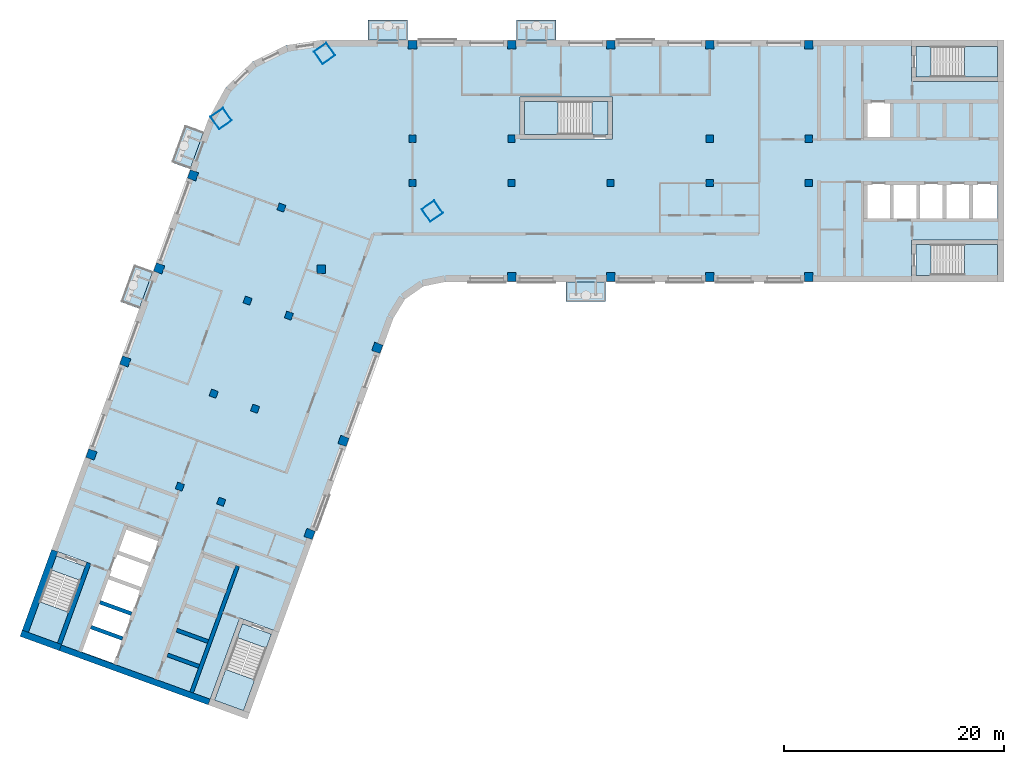
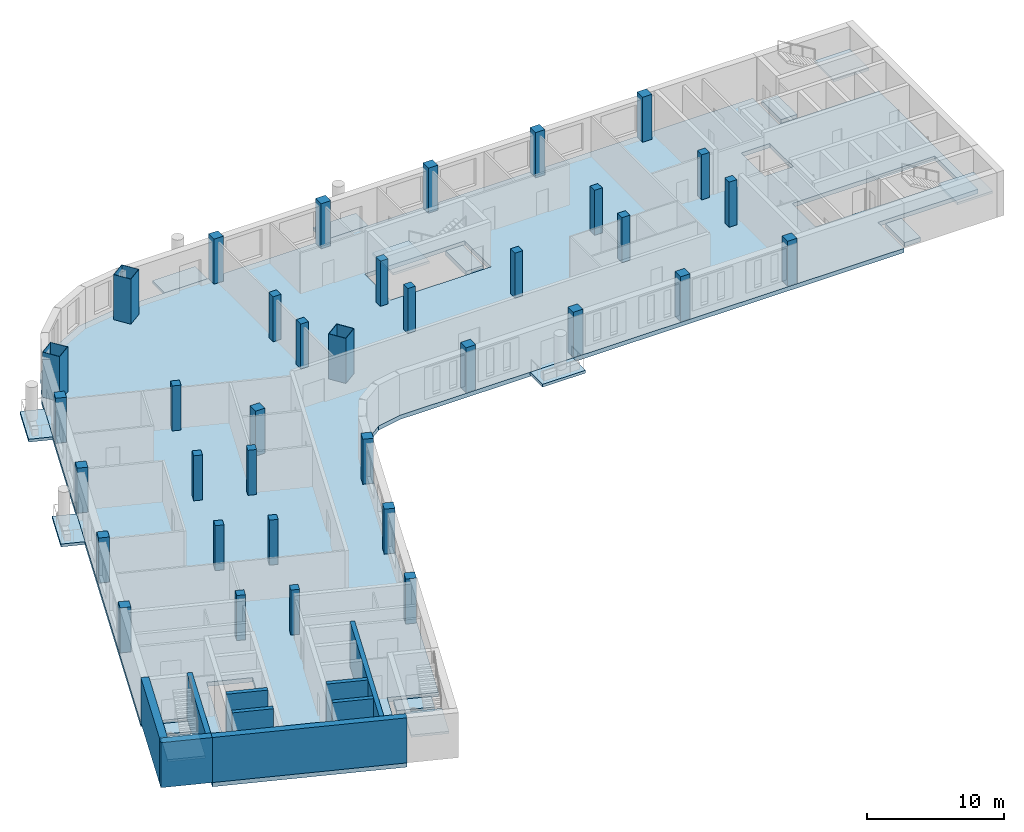
# One storey, part 1 of 10: 36 columns, 16 slabs, 9 walls, 5 elements without a shape of their own.
"""IFC4 building model written with IfcOpenShell, lengths in metres."""

from ifc_helpers import new_model, si_unit, direction, frame, frame_2d, origin, origin_2d, place, context, subcontext, project, spatial, polyline, rectangle, hollow_rectangle, outline, extrude, material, layer, layer_set, material_profile, profile_set, type_object, element, aggregate, save


model = new_model("IFC4")

# Units and contexts
model_context = context("Model", 3, precision=1e-05, world=origin(), true_north=direction((0.0, 1.0)))
body_context = subcontext(model_context, "Body", "Model", "MODEL_VIEW")
ifc_project = project(units=[si_unit("LENGTHUNIT", "METRE"), si_unit("AREAUNIT", "SQUARE_METRE"), si_unit("VOLUMEUNIT", "CUBIC_METRE"), si_unit("PLANEANGLEUNIT", "RADIAN"), si_unit("MASSUNIT", "GRAM", prefix="KILO")], contexts=[model_context])

# Site, building, storey
site_placement = place(None, origin())
site = spatial("IfcSite", under=ifc_project, at=site_placement, CompositionType="ELEMENT")
building_placement = place(site_placement, origin())
building = spatial("IfcBuilding", under=site, at=building_placement, Name="Skarvind Civic Tower", CompositionType="ELEMENT")
storey_placement = place(building_placement, frame((0.0, 0.0, 166.5)))
storey = spatial("IfcBuildingStorey", under=building, at=storey_placement, Name="L39", CompositionType="ELEMENT", Elevation=166.5)

# Columns
ifc_material_1 = material(Name="Concrete C60", Category="concrete")
ifc_material_profile_1 = material_profile(ifc_material_1, rectangle(XDim=0.64990234375, YDim=0.64990234375, at=origin_2d()), Name="RC-650x650")
ifc_profile_set_1 = profile_set([ifc_material_profile_1], Name="Concrete C60")
column_type_1 = type_object("IfcColumnType", Name="Column RC-650x650 C60", PredefinedType="COLUMN", material=ifc_profile_set_1)
for number, where, z_axis, x_axis, name in (
    (1, (54.25, 130.0, 0.0), (0.0, 0.0, 1.0), (1.0, 0.0, 0.0), "Column wing 1 north inner 02 L39"),
    (2, (63.25, 130.0, 0.0), (0.0, 0.0, 1.0), (1.0, 0.0, 0.0), "Column wing 1 north inner 03 L39"),
    (3, (81.25, 130.0, 0.0), (0.0, 0.0, 1.0), (1.0, 0.0, 0.0), "Column wing 1 north inner 05 L39"),
    (4, (90.25, 130.0, 0.0), (0.0, 0.0, 1.0), (1.0, 0.0, 0.0), "Column wing 1 north inner 06 L39"),
    (5, (54.25, 126.0, 0.0), (0.0, 0.0, 1.0), (1.0, 0.0, 0.0), "Column wing 1 south inner 02 L39"),
    (6, (63.25, 126.0, 0.0), (0.0, 0.0, 1.0), (1.0, 0.0, 0.0), "Column wing 1 south inner 03 L39"),
    (7, (72.25, 126.0, 0.0), (0.0, 0.0, 1.0), (1.0, 0.0, 0.0), "Column wing 1 south inner 04 L39"),
    (8, (81.25, 126.0, 0.0), (0.0, 0.0, 1.0), (1.0, 0.0, 0.0), "Column wing 1 south inner 05 L39"),
    (9, (90.25, 126.0, 0.0), (0.0, 0.0, 1.0), (1.0, 0.0, 0.0), "Column wing 1 south inner 06 L39"),
    (10, (43.005615234375, 113.92529296875, 0.0), (0.0, 0.0, 1.0), (-0.342020143326, -0.939692620786, 0.0), "Column wing 2 left inner 02 L39"),
    (11, (39.927490234375, 105.468017578125, 0.0), (0.0, 0.0, 1.0), (-0.342020143326, -0.939692620786, 0.0), "Column wing 2 left inner 03 L39"),
    (12, (36.84912109375, 97.010986328125, 0.0), (0.0, 0.0, 1.0), (-0.342020143326, -0.939692620786, 0.0), "Column wing 2 left inner 04 L39"),
    (13, (42.324951171875, 123.750732421875, 0.0), (0.0, 0.0, 1.0), (-0.342020143326, -0.939692620786, 0.0), "Column wing 2 right inner 01 L39"),
    (14, (39.246826171875, 115.29345703125, 0.0), (0.0, 0.0, 1.0), (-0.342020143326, -0.939692620786, 0.0), "Column wing 2 right inner 02 L39"),
    (15, (36.168701171875, 106.836181640625, 0.0), (0.0, 0.0, 1.0), (-0.342020143326, -0.939692620786, 0.0), "Column wing 2 right inner 03 L39"),
    (16, (33.090576171875, 98.37890625, 0.0), (0.0, 0.0, 1.0), (-0.342020143326, -0.939692620786, 0.0), "Column wing 2 right inner 04 L39"),
):
    element("IfcColumn", number, at=place(storey_placement, frame(where, z_axis=z_axis, x_axis=x_axis)), inside=storey, type_object=column_type_1, Name=name, PredefinedType="COLUMN", context=body_context, shape_type="SweptSolid", body=[
        extrude(rectangle(XDim=0.64990234375, YDim=0.64990234375, at=origin_2d()), origin(), (0.0, 0.0, 1.0), 4.0),
    ])
ifc_material_profile_2 = material_profile(ifc_material_1, rectangle(XDim=0.800048828125, YDim=0.800048828125, at=origin_2d()), Name="RC-800x800")
ifc_profile_set_2 = profile_set([ifc_material_profile_2], Name="Concrete C60")
column_type_2 = type_object("IfcColumnType", Name="Column RC-800x800 C60", PredefinedType="COLUMN", material=ifc_profile_set_2)
for number, where, z_axis, x_axis, name in (
    (17, (54.25, 138.550048828125, 0.0), (0.0, 0.0, 1.0), (1.0, 0.0, 0.0), "Column wing 1 north perimeter 02 L39"),
    (18, (63.25, 138.550048828125, 0.0), (0.0, 0.0, 1.0), (1.0, 0.0, 0.0), "Column wing 1 north perimeter 03 L39"),
    (19, (72.25, 138.550048828125, 0.0), (0.0, 0.0, 1.0), (1.0, 0.0, 0.0), "Column wing 1 north perimeter 04 L39"),
    (20, (81.25, 138.550048828125, 0.0), (0.0, 0.0, 1.0), (1.0, 0.0, 0.0), "Column wing 1 north perimeter 05 L39"),
    (21, (90.25, 138.550048828125, 0.0), (0.0, 0.0, 1.0), (1.0, 0.0, 0.0), "Column wing 1 north perimeter 06 L39"),
    (22, (45.95166015625, 118.151611328125, 0.0), (0.0, 0.0, 1.0), (1.0, 0.0, 0.0), "Column wing 1 south perimeter 01 L39"),
    (23, (63.25, 117.449951171875, 0.0), (0.0, 0.0, 1.0), (1.0, 0.0, 0.0), "Column wing 1 south perimeter 03 L39"),
    (24, (72.25, 117.449951171875, 0.0), (0.0, 0.0, 1.0), (1.0, 0.0, 0.0), "Column wing 1 south perimeter 04 L39"),
    (25, (81.25, 117.449951171875, 0.0), (0.0, 0.0, 1.0), (1.0, 0.0, 0.0), "Column wing 1 south perimeter 05 L39"),
    (26, (90.25, 117.449951171875, 0.0), (0.0, 0.0, 1.0), (1.0, 0.0, 0.0), "Column wing 1 south perimeter 06 L39"),
    (27, (51.0400390625, 111.0009765625, 0.0), (0.0, 0.0, 1.0), (-0.342020143326, -0.939692620786, 0.0), "Column wing 2 left perimeter 02 L39"),
    (28, (47.961669921875, 102.5439453125, 0.0), (0.0, 0.0, 1.0), (-0.342020143326, -0.939692620786, 0.0), "Column wing 2 left perimeter 03 L39"),
    (29, (44.883544921875, 94.086669921875, 0.0), (0.0, 0.0, 1.0), (-0.342020143326, -0.939692620786, 0.0), "Column wing 2 left perimeter 04 L39"),
    (30, (34.29052734375, 126.6748046875, 0.0), (0.0, 0.0, 1.0), (-0.342020143326, -0.939692620786, 0.0), "Column wing 2 right perimeter 01 L39"),
    (31, (31.21240234375, 118.2177734375, 0.0), (0.0, 0.0, 1.0), (-0.342020143326, -0.939692620786, 0.0), "Column wing 2 right perimeter 02 L39"),
    (32, (28.13427734375, 109.760498046875, 0.0), (0.0, 0.0, 1.0), (-0.342020143326, -0.939692620786, 0.0), "Column wing 2 right perimeter 03 L39"),
    (33, (25.05615234375, 101.30322265625, 0.0), (0.0, 0.0, 1.0), (-0.342020143326, -0.939692620786, 0.0), "Column wing 2 right perimeter 04 L39"),
):
    element("IfcColumn", number, at=place(storey_placement, frame(where, z_axis=z_axis, x_axis=x_axis)), inside=storey, type_object=column_type_2, Name=name, PredefinedType="COLUMN", context=body_context, shape_type="SweptSolid", body=[
        extrude(rectangle(XDim=0.800048828125, YDim=0.800048828125, at=origin_2d()), origin(), (0.0, 0.0, 1.0), 4.0),
    ])
ifc_material_2 = material(Name="Composite concrete-filled steel tube, Steel SM355 with Concrete C80", Category="concrete")
ifc_material_profile_3 = material_profile(ifc_material_2, hollow_rectangle(XDim=1.39990234375, YDim=1.39990234375, WallThickness=0.031982421875, at=origin_2d()), Name="BOX-1400x1400x32")
ifc_profile_set_3 = profile_set([ifc_material_profile_3], Name="Composite concrete-filled steel tube, Steel SM355 with Concrete C80")
column_type_3 = type_object("IfcColumnType", Name="Mega column BOX-1400x1400x32 filled C80", PredefinedType="COLUMN", material=ifc_profile_set_3)
for number, where, z_axis, x_axis, name in (
    (34, (36.845947265625, 131.837646484375, 0.0), (0.0, 0.0, 1.0), (0.573576436351, -0.819152044289, 0.0), "Mega column 1 L39"),
    (35, (46.2470703125, 137.762451171875, 0.0), (0.0, 0.0, 1.0), (0.573576436351, -0.819152044289, 0.0), "Mega column 2 L39"),
    (36, (56.0361328125, 123.43017578125, 0.0), (0.0, 0.0, 1.0), (0.573576436351, -0.819152044289, 0.0), "Mega column 4 L39"),
):
    element("IfcColumn", number, at=place(storey_placement, frame(where, z_axis=z_axis, x_axis=x_axis)), inside=storey, type_object=column_type_3, Name=name, PredefinedType="COLUMN", context=body_context, shape_type="SweptSolid", body=[
        extrude(hollow_rectangle(XDim=1.39990234375, YDim=1.39990234375, WallThickness=0.031982421875, at=origin_2d()), origin(), (0.0, 0.0, 1.0), 4.0),
    ])

# Slabs
ifc_material_3 = material(Name="Concrete C50", Category="concrete")
ifc_layer_1 = layer(ifc_material_3, 0.375)
ifc_layer_set_1 = layer_set([ifc_layer_1], Name="Floor slab 375 C50")
slab_type_1 = type_object("IfcSlabType", Name="Floor slab 375 C50", PredefinedType="FLOOR", material=ifc_layer_set_1)
slab_1_placement = place(storey_placement, frame((0.0, 0.0, -0.375)))
element("IfcSlab", 37, at=slab_1_placement, inside=storey, type_object=slab_type_1, Name="Floor slab L39 1", PredefinedType="FLOOR", context=body_context, shape_type="SweptSolid", body=[
    extrude(outline(polyline([(99.60009765625, 117.0), (99.60009765625, 120.800048828125), (108.0, 120.800048828125), (108.0, 135.199951171875), (99.60009765625, 135.199951171875), (99.60009765625, 139.0), (46.095458984375, 139.0), (42.739501953125, 138.5009765625), (39.6943359375, 137.005615234375), (37.24755859375, 134.6552734375), (35.630615234375, 131.672607421875), (19.41748046875, 87.126708984375), (21.435302734375, 92.6708984375), (25.006103515625, 91.371337890625), (22.13330078125, 83.477783203125), (36.886474609375, 78.108154296875), (35.664794921875, 78.552734375), (38.53759765625, 86.4462890625), (42.108642578125, 85.146484375), (40.0908203125, 79.602294921875), (40.0908203125, 79.602294921875), (52.493896484375, 113.68017578125), (53.560791015625, 115.421630859375), (55.23388671875, 116.593017578125), (57.235107421875, 117.0), (99.60009765625, 117.0)]), holes=[polyline([(25.671630859375, 87.9365234375), (26.492431640625, 90.19189453125), (27.313232421875, 92.447021484375), (28.134033203125, 94.702392578125), (31.3291015625, 93.53955078125), (30.50830078125, 91.2841796875), (29.6875, 89.029052734375), (28.866455078125, 86.773681640625), (28.866455078125, 86.773681640625), (28.045654296875, 84.5185546875), (27.224853515625, 82.26318359375), (24.02978515625, 83.426025390625), (24.8505859375, 85.681396484375), (25.671630859375, 87.9365234375), (25.671630859375, 87.9365234375)]), polyline([(64.0, 130.0), (64.0, 133.800048828125), (72.39990234375, 133.800048828125), (72.39990234375, 130.0), (64.0, 130.0)]), polyline([(97.800048828125, 126.0), (100.199951171875, 126.0), (102.60009765625, 126.0), (105.0, 126.0), (107.39990234375, 126.0), (107.39990234375, 122.60009765625), (105.0, 122.60009765625), (102.60009765625, 122.60009765625), (100.199951171875, 122.60009765625), (97.800048828125, 122.60009765625), (95.39990234375, 122.60009765625), (95.39990234375, 126.0), (97.800048828125, 126.0)]), polyline([(97.800048828125, 133.39990234375), (97.800048828125, 130.0), (95.39990234375, 130.0), (95.39990234375, 133.39990234375), (97.800048828125, 133.39990234375)])]), origin(), (0.0, 0.0, 1.0), 0.375),
])
ifc_material_4 = material(Name="Precast concrete C40/50", Category="concrete")
ifc_layer_2 = layer(ifc_material_4, 0.25)
ifc_layer_set_2 = layer_set([ifc_layer_2], Name="SX3 BALCONY SLAB 250")
slab_type_2 = type_object("IfcSlabType", Name="SX3 BALCONY SLAB 250", PredefinedType="FLOOR", material=ifc_layer_set_2)
slab_2_placement = place(storey_placement, frame((0.0, 0.0, -0.25)))
element("IfcSlab", 38, at=slab_2_placement, inside=storey, type_object=slab_type_2, Name="TREE BALCONY SLAB", PredefinedType="FLOOR", context=body_context, shape_type="SweptSolid", body=[
    extrude(outline(polyline([(71.800048828125, 117.0), (68.199951171875, 117.0), (68.199951171875, 115.199951171875), (71.800048828125, 115.199951171875), (71.800048828125, 117.0)])), origin(), (0.0, 0.0, 1.0), 0.25),
])
slab_3_placement = place(storey_placement, frame((0.0, 0.0, -0.25)))
element("IfcSlab", 39, at=slab_3_placement, inside=storey, type_object=slab_type_2, Name="TREE BALCONY SLAB", PredefinedType="FLOOR", context=body_context, shape_type="SweptSolid", body=[
    extrude(outline(polyline([(50.199951171875, 139.0), (53.800048828125, 139.0), (53.800048828125, 140.800048828125), (50.199951171875, 140.800048828125), (50.199951171875, 139.0)])), origin(), (0.0, 0.0, 1.0), 0.25),
])
slab_4_placement = place(storey_placement, frame((0.0, 0.0, -0.25)))
element("IfcSlab", 40, at=slab_4_placement, inside=storey, type_object=slab_type_2, Name="TREE BALCONY SLAB", PredefinedType="FLOOR", context=body_context, shape_type="SweptSolid", body=[
    extrude(outline(polyline([(63.699951171875, 139.0), (67.300048828125, 139.0), (67.300048828125, 140.800048828125), (63.699951171875, 140.800048828125), (63.699951171875, 139.0)])), origin(), (0.0, 0.0, 1.0), 0.25),
])
slab_5_placement = place(storey_placement, frame((0.0, 0.0, -0.25)))
element("IfcSlab", 41, at=slab_5_placement, inside=storey, type_object=slab_type_2, Name="TREE BALCONY SLAB", PredefinedType="FLOOR", context=body_context, shape_type="SweptSolid", body=[
    extrude(outline(polyline([(29.404296875, 114.56591796875), (30.6357421875, 117.94873046875), (28.9443359375, 118.564453125), (27.712890625, 115.181396484375), (29.404296875, 114.56591796875)])), origin(), (0.0, 0.0, 1.0), 0.25),
])
slab_6_placement = place(storey_placement, frame((0.0, 0.0, -0.25)))
element("IfcSlab", 42, at=slab_6_placement, inside=storey, type_object=slab_type_2, Name="TREE BALCONY SLAB", PredefinedType="FLOOR", context=body_context, shape_type="SweptSolid", body=[
    extrude(outline(polyline([(34.021728515625, 127.251708984375), (35.2529296875, 130.634521484375), (33.5615234375, 131.250244140625), (32.330322265625, 127.867431640625), (34.021728515625, 127.251708984375)])), origin(), (0.0, 0.0, 1.0), 0.25),
])
ifc_material_5 = material(Name="Concrete C40/50", Category="concrete")
ifc_layer_3 = layer(ifc_material_5, 0.375)
ifc_layer_set_3 = layer_set([ifc_layer_3], Name="Stair floor landing slab 375")
slab_type_3 = type_object("IfcSlabType", Name="Stair floor landing slab 375", PredefinedType="LANDING", material=ifc_layer_set_3)
slab_7_placement = place(storey_placement, frame((0.0, 0.0, -0.375)))
element("IfcSlab", 43, at=slab_7_placement, inside=storey, type_object=slab_type_3, Name="Stair floor landing", PredefinedType="LANDING", context=body_context, shape_type="SweptSolid", body=[
    extrude(outline(polyline([(101.3505859375, 138.400634765625), (101.3505859375, 135.599365234375), (99.99951171875, 135.599365234375), (99.99951171875, 138.400634765625), (101.3505859375, 138.400634765625)])), origin(), (0.0, 0.0, 1.0), 0.375),
])
slab_8_placement = place(storey_placement, frame((0.0, 0.0, -0.375)))
element("IfcSlab", 44, at=slab_8_placement, inside=storey, type_object=slab_type_3, Name="Stair floor landing", PredefinedType="LANDING", context=body_context, shape_type="SweptSolid", body=[
    extrude(outline(polyline([(101.3505859375, 120.400634765625), (101.3505859375, 117.599365234375), (99.99951171875, 117.599365234375), (99.99951171875, 120.400634765625), (101.3505859375, 120.400634765625)])), origin(), (0.0, 0.0, 1.0), 0.375),
])
slab_9_placement = place(storey_placement, frame((0.0, 0.0, -0.375)))
element("IfcSlab", 45, at=slab_9_placement, inside=storey, type_object=slab_type_3, Name="Stair floor landing", PredefinedType="LANDING", context=body_context, shape_type="SweptSolid", body=[
    extrude(outline(polyline([(40.946533203125, 83.70654296875), (38.314208984375, 84.66455078125), (38.7763671875, 85.934326171875), (41.40869140625, 84.976318359375), (40.946533203125, 83.70654296875)])), origin(), (0.0, 0.0, 1.0), 0.375),
])
slab_10_placement = place(storey_placement, frame((0.0, 0.0, -0.375)))
element("IfcSlab", 46, at=slab_10_placement, inside=storey, type_object=slab_type_3, Name="Stair floor landing", PredefinedType="LANDING", context=body_context, shape_type="SweptSolid", body=[
    extrude(outline(polyline([(24.0322265625, 89.863037109375), (21.39990234375, 90.821044921875), (21.862060546875, 92.090576171875), (24.494384765625, 91.132568359375), (24.0322265625, 89.863037109375)])), origin(), (0.0, 0.0, 1.0), 0.375),
])
slab_11_placement = place(storey_placement, frame((0.0, 0.0, -0.375)))
element("IfcSlab", 47, at=slab_11_placement, inside=storey, type_object=slab_type_3, Name="Stair floor landing", PredefinedType="LANDING", context=body_context, shape_type="SweptSolid", body=[
    extrude(outline(polyline([(70.54931640625, 130.3994140625), (70.54931640625, 133.400634765625), (72.00048828125, 133.400634765625), (72.00048828125, 130.3994140625), (70.54931640625, 130.3994140625)])), origin(), (0.0, 0.0, 1.0), 0.375),
])

# Stair, slab
stair_type_1 = type_object("IfcStairType", Name="Exit stair, half-turn, concrete", PredefinedType="HALF_TURN_STAIR", material=ifc_material_5)
stair_1_placement = place(storey_placement, origin())
stair_1 = element("IfcStair", 48, at=stair_1_placement, inside=storey, type_object=stair_type_1, Name="Exit stair C1S", PredefinedType="HALF_TURN_STAIR")
ifc_layer_4 = layer(ifc_material_5, 0.199951171875)
ifc_layer_set_4 = layer_set([ifc_layer_4], Name="Stair half landing slab")
slab_type_4 = type_object("IfcSlabType", Name="Stair half landing slab", PredefinedType="LANDING", material=ifc_layer_set_4)
slab_12_placement = place(storey_placement, frame((0.0, 0.0, 1.800048828125)))
slab_12 = element("IfcSlab", 49, at=slab_12_placement, type_object=slab_type_4, Name="ST-C1S landing 1", PredefinedType="LANDING", context=body_context, shape_type="SweptSolid", body=[
    extrude(outline(polyline([(104.429443359375, 135.599365234375), (104.429443359375, 138.400634765625), (107.400634765625, 138.400634765625), (107.400634765625, 135.599365234375), (104.429443359375, 135.599365234375)])), origin(), (0.0, 0.0, 1.0), 0.199951171875),
])
aggregate(stair_1, [slab_12])

stair_2_placement = place(storey_placement, origin())
stair_2 = element("IfcStair", 50, at=stair_2_placement, inside=storey, type_object=stair_type_1, Name="Exit stair C1N", PredefinedType="HALF_TURN_STAIR")
slab_13_placement = place(storey_placement, frame((0.0, 0.0, 1.800048828125)))
slab_13 = element("IfcSlab", 51, at=slab_13_placement, type_object=slab_type_4, Name="ST-C1N landing 1", PredefinedType="LANDING", context=body_context, shape_type="SweptSolid", body=[
    extrude(outline(polyline([(104.429443359375, 117.599365234375), (104.429443359375, 120.400634765625), (107.400634765625, 120.400634765625), (107.400634765625, 117.599365234375), (104.429443359375, 117.599365234375)])), origin(), (0.0, 0.0, 1.0), 0.199951171875),
])
aggregate(stair_2, [slab_13])

stair_3_placement = place(storey_placement, origin())
stair_3 = element("IfcStair", 52, at=stair_3_placement, inside=storey, type_object=stair_type_1, Name="Exit stair C2S", PredefinedType="HALF_TURN_STAIR")
slab_14_placement = place(storey_placement, frame((0.0, 0.0, 1.800048828125)))
slab_14 = element("IfcSlab", 53, at=slab_14_placement, type_object=slab_type_4, Name="ST-C2S landing 1", PredefinedType="LANDING", context=body_context, shape_type="SweptSolid", body=[
    extrude(outline(polyline([(37.26123046875, 81.771484375), (39.8935546875, 80.8134765625), (38.87744140625, 78.021484375), (36.2451171875, 78.9794921875), (37.26123046875, 81.771484375)])), origin(), (0.0, 0.0, 1.0), 0.199951171875),
])
aggregate(stair_3, [slab_14])

stair_4_placement = place(storey_placement, origin())
stair_4 = element("IfcStair", 54, at=stair_4_placement, inside=storey, type_object=stair_type_1, Name="Exit stair C2N", PredefinedType="HALF_TURN_STAIR")
slab_15_placement = place(storey_placement, frame((0.0, 0.0, 1.800048828125)))
slab_15 = element("IfcSlab", 55, at=slab_15_placement, type_object=slab_type_4, Name="ST-C2N landing 1", PredefinedType="LANDING", context=body_context, shape_type="SweptSolid", body=[
    extrude(outline(polyline([(20.346923828125, 87.927734375), (22.97900390625, 86.9697265625), (21.962890625, 84.177734375), (19.33056640625, 85.1357421875), (20.346923828125, 87.927734375)])), origin(), (0.0, 0.0, 1.0), 0.199951171875),
])
aggregate(stair_4, [slab_15])

stair_type_2 = type_object("IfcStairType", Name="Exit stair 1450, half-turn, concrete", PredefinedType="HALF_TURN_STAIR", material=ifc_material_5)
stair_5_placement = place(storey_placement, origin())
stair_5 = element("IfcStair", 56, at=stair_5_placement, inside=storey, type_object=stair_type_2, Name="Exit stair CM", PredefinedType="HALF_TURN_STAIR")
slab_16_placement = place(storey_placement, frame((0.0, 0.0, 1.800048828125)))
slab_16 = element("IfcSlab", 57, at=slab_16_placement, type_object=slab_type_4, Name="ST-CM landing 1", PredefinedType="LANDING", context=body_context, shape_type="SweptSolid", body=[
    extrude(outline(polyline([(67.470703125, 133.400634765625), (67.470703125, 130.3994140625), (64.3994140625, 130.3994140625), (64.3994140625, 133.400634765625), (67.470703125, 133.400634765625)])), origin(), (0.0, 0.0, 1.0), 0.199951171875),
])
aggregate(stair_5, [slab_16])

# Walls
ifc_layer_5 = layer(ifc_material_1, 0.35009765625)
ifc_layer_set_5 = layer_set([ifc_layer_5], Name="Core wall 350 C60")
wall_type_1 = type_object("IfcWallType", Name="Core wall 350 C60", PredefinedType="SHEAR", material=ifc_layer_set_5)
wall_1_placement = place(storey_placement, frame((34.161376953125, 79.685302734375, 0.0), z_axis=(0.0, 0.0, 1.0), x_axis=(0.34201563943, 0.939694260058, 0.0)))
element("IfcWall", 58, at=wall_1_placement, inside=storey, type_object=wall_type_1, Name="Core wall C2 south lift row back L39", PredefinedType="SHEAR", context=body_context, shape_type="SweptSolid", body=[
    extrude(rectangle(XDim=12.22509765625, YDim=0.35009765625, at=frame_2d((6.112548828125, 0.0))), origin(), (0.0, 0.0, 1.0), 4.0),
])
wall_2_placement = place(storey_placement, frame((34.8349609375, 82.04736328125, 0.0), z_axis=(0.0, 0.0, 1.0), x_axis=(-0.939683528043, 0.3420451244, 0.0)))
element("IfcWall", 59, at=wall_2_placement, inside=storey, type_object=wall_type_1, Name="Core wall C2 south lift row division 1 L39", PredefinedType="SHEAR", context=body_context, shape_type="SweptSolid", body=[
    extrude(rectangle(XDim=3.050048828125, YDim=0.35009765625, at=frame_2d((1.52490234375, 0.0))), origin(), (0.0, 0.0, 1.0), 4.0),
])
wall_3_placement = place(storey_placement, frame((35.65576171875, 84.302734375, 0.0), z_axis=(0.0, 0.0, 1.0), x_axis=(-0.939709254651, 0.341974438698, 0.0)))
element("IfcWall", 60, at=wall_3_placement, inside=storey, type_object=wall_type_1, Name="Core wall C2 south lift row division 2 L39", PredefinedType="SHEAR", context=body_context, shape_type="SweptSolid", body=[
    extrude(rectangle(XDim=3.0498046875, YDim=0.35009765625, at=frame_2d((1.52490234375, 0.0))), origin(), (0.0, 0.0, 1.0), 4.0),
])
for number, where, z_axis, x_axis, name in (
    (61, (27.881103515625, 84.578369140625, 0.0), (0.0, 0.0, 1.0), (-0.939683528043, 0.3420451244, 0.0), "Core wall C2 north lift row division 1 L39"),
    (62, (28.7021484375, 86.83349609375, 0.0), (0.0, 0.0, 1.0), (-0.939692892192, 0.342019397644, 0.0), "Core wall C2 north lift row division 2 L39"),
):
    element("IfcWall", number, at=place(storey_placement, frame(where, z_axis=z_axis, x_axis=x_axis)), inside=storey, type_object=wall_type_1, Name=name, PredefinedType="SHEAR", context=body_context, shape_type="SweptSolid", body=[
        extrude(rectangle(XDim=3.050048828125, YDim=0.35009765625, at=frame_2d((1.52490234375, 0.0))), origin(), (0.0, 0.0, 1.0), 4.0),
    ])
ifc_layer_6 = layer(ifc_material_1, 0.39990234375)
ifc_layer_set_6 = layer_set([ifc_layer_6], Name="Core wall 400 C60")
wall_type_2 = type_object("IfcWallType", Name="Core wall 400 C60", PredefinedType="SHEAR", material=ifc_layer_set_6)
wall_4_placement = place(storey_placement, frame((22.150390625, 84.110107421875, 0.0), z_axis=(0.0, 0.0, 1.0), x_axis=(0.342016982193, 0.939693771338, 0.0)))
element("IfcWall", 63, at=wall_4_placement, inside=storey, type_object=wall_type_2, Name="Core wall C2 north stair inner L39", PredefinedType="SHEAR", context=body_context, shape_type="SweptSolid", body=[
    extrude(rectangle(XDim=7.800048828125, YDim=0.39990234375, at=frame_2d((3.89990234375, 0.0))), origin(), (0.0, 0.0, 1.0), 4.0),
])
ifc_layer_7 = layer(ifc_material_1, 0.550048828125)
ifc_layer_set_7 = layer_set([ifc_layer_7], Name="Core wall 550 C60")
wall_type_3 = type_object("IfcWallType", Name="Core wall 550 C60", PredefinedType="SHEAR", material=ifc_layer_set_7)
wall_5_placement = place(storey_placement, frame((35.7587890625, 78.811279296875, 0.0), z_axis=(0.0, 0.0, 1.0), x_axis=(-0.939692894512, 0.342019391267, 0.0)))
element("IfcWall", 64, at=wall_5_placement, inside=storey, type_object=wall_type_3, Name="Core wall C2 tip between the stairs L39", PredefinedType="SHEAR", context=body_context, shape_type="SweptSolid", body=[
    extrude(rectangle(XDim=14.39990234375, YDim=0.550048828125, at=frame_2d((7.199951171875, 0.0))), origin(), (0.0, 0.0, 1.0), 4.0),
])
ifc_layer_8 = layer(ifc_material_1, 0.60009765625)
ifc_layer_set_8 = layer_set([ifc_layer_8], Name="Core wall 600 C60")
wall_type_4 = type_object("IfcWallType", Name="Core wall 600 C60", PredefinedType="SHEAR", material=ifc_layer_set_8)
wall_6_placement = place(storey_placement, frame((22.23583984375, 83.759765625, 0.0), z_axis=(0.0, 0.0, 1.0), x_axis=(-0.939680822529, 0.342052557032, 0.0)))
element("IfcWall", 65, at=wall_6_placement, inside=storey, type_object=wall_type_4, Name="Core wall C2 tip at the north stair L39", PredefinedType="SHEAR", context=body_context, shape_type="SweptSolid", body=[
    extrude(rectangle(XDim=3.800048828125, YDim=0.60009765625, at=frame_2d((1.89990234375, 0.0))), origin(), (0.0, 0.0, 1.0), 4.0),
])
wall_7_placement = place(storey_placement, frame((19.049560546875, 85.23876953125, 0.0), z_axis=(0.0, 0.0, 1.0), x_axis=(0.342016982193, 0.939693771338, 0.0)))
element("IfcWall", 66, at=wall_7_placement, inside=storey, type_object=wall_type_4, Name="Core wall C2 north side at the stair L39", PredefinedType="SHEAR", context=body_context, shape_type="SweptSolid", body=[
    extrude(rectangle(XDim=7.800048828125, YDim=0.60009765625, at=frame_2d((3.89990234375, 0.0))), origin(), (0.0, 0.0, 1.0), 4.0),
])

save(model, "model.ifc")
